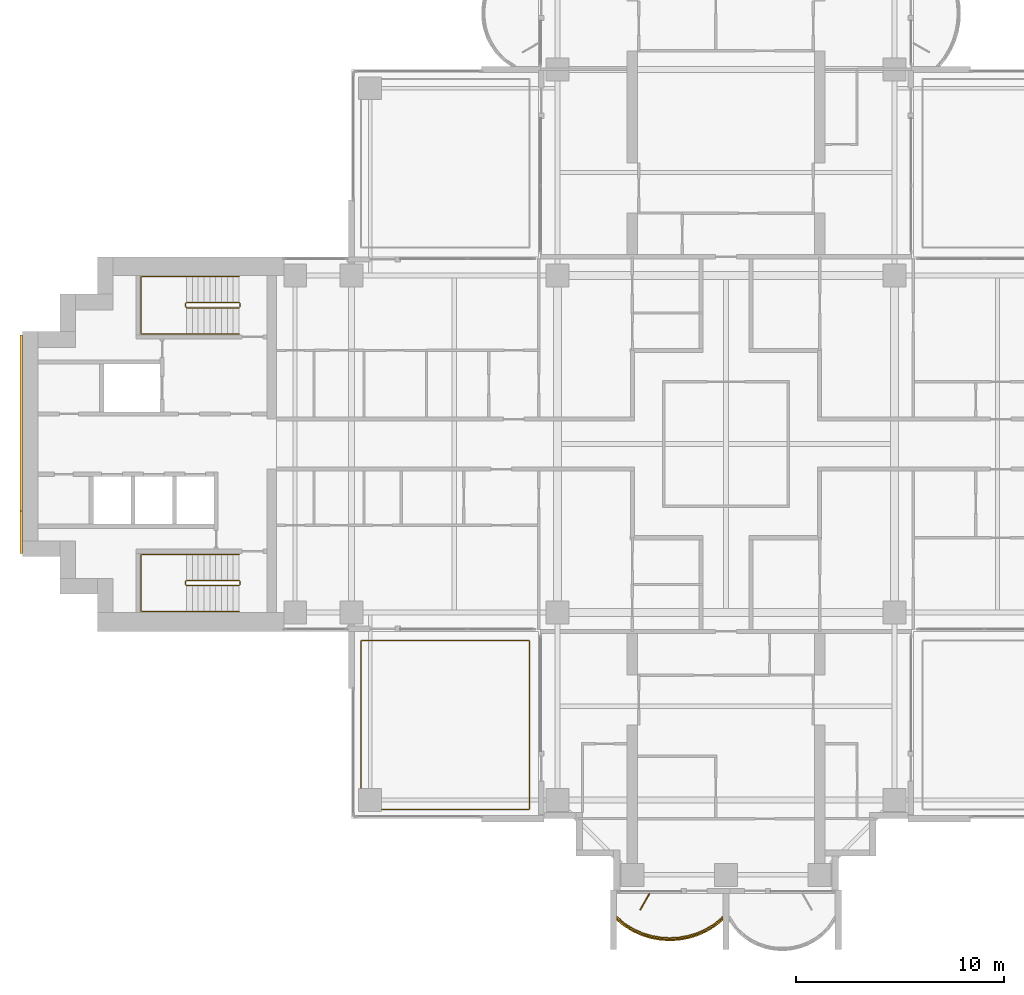
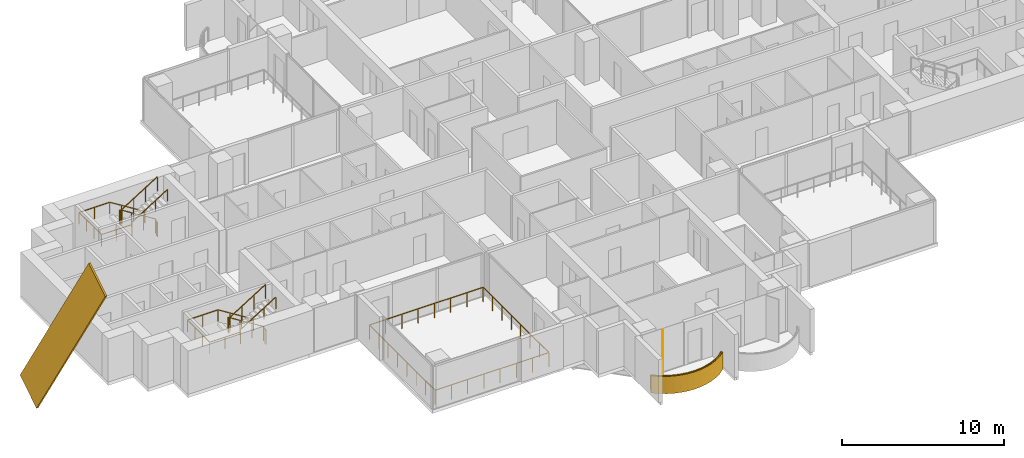
# One storey, part 15 of 18: 6 railings, 2 coverings, 1 shading device.
"""IFC4 building model written with IfcOpenShell, lengths in metres."""

from ifc_helpers import new_model, si_unit, direction, frame, origin, origin_2d, place, context, subcontext, project, spatial, polyline, rectangle, outline, extrude, material, layer, layer_set, material_profile, profile_set, type_object, element, save


model = new_model("IFC4")

# Units and contexts
model_context = context("Model", 3, precision=1e-05, world=origin(), true_north=direction((0.0, 1.0)))
body_context = subcontext(model_context, "Body", "Model", "MODEL_VIEW")
ifc_project = project(units=[si_unit("LENGTHUNIT", "METRE"), si_unit("AREAUNIT", "SQUARE_METRE"), si_unit("VOLUMEUNIT", "CUBIC_METRE"), si_unit("PLANEANGLEUNIT", "RADIAN"), si_unit("MASSUNIT", "GRAM", prefix="KILO")], contexts=[model_context])

# Site, building, storey
site_placement = place(None, origin())
site = spatial("IfcSite", under=ifc_project, at=site_placement, CompositionType="ELEMENT")
building_placement = place(site_placement, origin())
building = spatial("IfcBuilding", under=site, at=building_placement, Name="Perihelion Cross Residences", CompositionType="ELEMENT")
storey_placement = place(building_placement, frame((0.0, 0.0, 133.89990234375)))
storey = spatial("IfcBuildingStorey", under=building, at=storey_placement, Name="L32", CompositionType="ELEMENT", Elevation=133.89990234375)

# Covering
ifc_material_1 = material(Name="Bronze anodised aluminium", Category="aluminium")
ifc_layer_1 = layer(ifc_material_1, 0.070068359375)
ifc_layer_set_1 = layer_set([ifc_layer_1], Name="Balcony fascia 1300")
covering_type_1 = type_object("IfcCoveringType", Name="Balcony fascia 1300", PredefinedType="CLADDING", material=ifc_layer_set_1)
covering_1_placement = place(storey_placement, frame((0.0, 0.0, -0.199951171875)))
element("IfcCovering", 1, at=covering_1_placement, inside=storey, type_object=covering_type_1, Name="Fascia BF1 L32 south tip south bay 1", PredefinedType="CLADDING", context=body_context, shape_type="SweptSolid", body=[
    extrude(outline(polyline([(-4.86474609375, -23.197509765625), (-4.431884765625, -23.455078125), (-3.998779296875, -23.642578125), (-3.56591796875, -23.7705078125), (-3.133056640625, -23.845458984375), (-2.699951171875, -23.8701171875), (-2.26708984375, -23.845458984375), (-1.833984375, -23.7705078125), (-1.401123046875, -23.642578125), (-0.96826171875, -23.455078125), (-0.53515625, -23.197509765625), (-0.14990234375, -22.8896484375), (-0.14990234375, -22.800048828125), (-0.574951171875, -23.14013671875), (-1.0, -23.392578125), (-1.425048828125, -23.57666015625), (-1.85009765625, -23.702392578125), (-2.27490234375, -23.77587890625), (-2.699951171875, -23.800048828125), (-3.125, -23.77587890625), (-3.550048828125, -23.702392578125), (-3.97509765625, -23.57666015625), (-4.39990234375, -23.392578125), (-4.824951171875, -23.14013671875), (-5.25, -22.800048828125), (-5.25, -22.8896484375), (-4.86474609375, -23.197509765625)])), origin(), (0.0, 0.0, 1.0), 1.300048828125),
])

# Railings
ifc_material_2 = material(Name="Bronze anodised aluminium", Category="aluminium")
railing_type_1 = type_object("IfcRailingType", Name="Balcony guard 1100", PredefinedType="GUARDRAIL", material=ifc_material_2)
railing_1_placement = place(storey_placement, frame((-5.22509765625, -22.739990234375, 0.0)))
element("IfcRailing", 2, at=railing_1_placement, inside=storey, type_object=railing_type_1, Name="Guard GU1 L32 south tip south bay 1 balcony", PredefinedType="GUARDRAIL", context=body_context, shape_type="SweptSolid", body=[
    extrude(rectangle(XDim=0.048095703125, YDim=0.048095703125, at=origin_2d()), frame((0.0, 0.0, 1.076171875), z_axis=(0.761973728849, -0.647607934281, 0.0), x_axis=(0.647607934281, 0.761973728849, 0.0)), (0.0, 0.0, 1.0), 0.525146484375),
    extrude(rectangle(XDim=0.048095703125, YDim=0.048095703125, at=origin_2d()), frame((0.400146484375, -0.340087890625, 1.076171875), z_axis=(0.859576918062, -0.511006381501, 0.0), x_axis=(0.511006381501, 0.859576918062, 0.0)), (0.0, 0.0, 1.0), 0.494384765625),
    extrude(rectangle(XDim=0.048095703125, YDim=0.048095703125, at=origin_2d()), frame((0.8251953125, -0.5927734375, 1.076171875), z_axis=(0.917747942671, -0.397163333811, 0.0), x_axis=(0.397163333811, 0.917747942671, 0.0)), (0.0, 0.0, 1.0), 0.462890625),
    extrude(rectangle(XDim=0.048095703125, YDim=0.048095703125, at=origin_2d()), frame((1.25, -0.776611328125, 1.076171875), z_axis=(0.958925815697, -0.283656975924, 0.0), x_axis=(0.283656975924, 0.958925815697, 0.0)), (0.0, 0.0, 1.0), 0.443359375),
    extrude(rectangle(XDim=0.048095703125, YDim=0.048095703125, at=origin_2d()), frame((1.675048828125, -0.90234375, 1.076171875), z_axis=(0.985381583142, -0.17036177859, 0.0), x_axis=(0.17036177859, 0.985381583142, 0.0)), (0.0, 0.0, 1.0), 0.431396484375),
    extrude(rectangle(XDim=0.048095703125, YDim=0.048095703125, at=origin_2d()), frame((2.10009765625, -0.975830078125, 1.076171875), z_axis=(0.998387160354, -0.056772159032, 0.0), x_axis=(0.056772159032, 0.998387160354, 0.0)), (0.0, 0.0, 1.0), 0.42578125),
    extrude(rectangle(XDim=0.048095703125, YDim=0.048095703125, at=origin_2d()), frame((2.525146484375, -1.0, 1.076171875), z_axis=(0.998387160354, 0.056772159032, 0.0), x_axis=(-0.056772159032, 0.998387160354, 0.0)), (0.0, 0.0, 1.0), 0.42578125),
    extrude(rectangle(XDim=0.048095703125, YDim=0.048095703125, at=origin_2d()), frame((2.9501953125, -0.975830078125, 1.076171875), z_axis=(0.985365142702, 0.170456843651, 0.0), x_axis=(-0.170456843651, 0.985365142702, 0.0)), (0.0, 0.0, 1.0), 0.43115234375),
    extrude(rectangle(XDim=0.048095703125, YDim=0.048095703125, at=origin_2d()), frame((3.375, -0.90234375, 1.076171875), z_axis=(0.958925815697, 0.283656975924, 0.0), x_axis=(-0.283656975924, 0.958925815697, 0.0)), (0.0, 0.0, 1.0), 0.443359375),
    extrude(rectangle(XDim=0.048095703125, YDim=0.048095703125, at=origin_2d()), frame((3.800048828125, -0.776611328125, 1.076171875), z_axis=(0.917831080218, 0.396971167952, 0.0), x_axis=(-0.396971167952, 0.917831080218, 0.0)), (0.0, 0.0, 1.0), 0.463134765625),
    extrude(rectangle(XDim=0.048095703125, YDim=0.048095703125, at=origin_2d()), frame((4.22509765625, -0.5927734375, 1.076171875), z_axis=(0.859576918062, 0.511006381501, 0.0), x_axis=(-0.511006381501, 0.859576918062, 0.0)), (0.0, 0.0, 1.0), 0.494384765625),
    extrude(rectangle(XDim=0.048095703125, YDim=0.048095703125, at=origin_2d()), frame((4.650146484375, -0.340087890625, 1.076171875), z_axis=(0.761778647315, 0.647837396648, 0.0), x_axis=(-0.647837396648, 0.761778647315, 0.0)), (0.0, 0.0, 1.0), 0.52490234375),
    extrude(rectangle(XDim=0.0419921875, YDim=0.0419921875, at=origin_2d()), origin(), (0.0, 0.0, 1.0), 1.052001953125),
    extrude(rectangle(XDim=0.0419921875, YDim=0.0419921875, at=origin_2d()), frame((0.400146484375, -0.340087890625, 0.0)), (0.0, 0.0, 1.0), 1.052001953125),
    extrude(rectangle(XDim=0.0419921875, YDim=0.0419921875, at=origin_2d()), frame((0.8251953125, -0.5927734375, 0.0)), (0.0, 0.0, 1.0), 1.052001953125),
    extrude(rectangle(XDim=0.0419921875, YDim=0.0419921875, at=origin_2d()), frame((1.25, -0.776611328125, 0.0)), (0.0, 0.0, 1.0), 1.052001953125),
    extrude(rectangle(XDim=0.0419921875, YDim=0.0419921875, at=origin_2d()), frame((1.675048828125, -0.90234375, 0.0)), (0.0, 0.0, 1.0), 1.052001953125),
    extrude(rectangle(XDim=0.0419921875, YDim=0.0419921875, at=origin_2d()), frame((2.10009765625, -0.975830078125, 0.0)), (0.0, 0.0, 1.0), 1.052001953125),
    extrude(rectangle(XDim=0.0419921875, YDim=0.0419921875, at=origin_2d()), frame((2.525146484375, -1.0, 0.0)), (0.0, 0.0, 1.0), 1.052001953125),
    extrude(rectangle(XDim=0.0419921875, YDim=0.0419921875, at=origin_2d()), frame((2.9501953125, -0.975830078125, 0.0)), (0.0, 0.0, 1.0), 1.052001953125),
    extrude(rectangle(XDim=0.0419921875, YDim=0.0419921875, at=origin_2d()), frame((3.375, -0.90234375, 0.0)), (0.0, 0.0, 1.0), 1.052001953125),
    extrude(rectangle(XDim=0.0419921875, YDim=0.0419921875, at=origin_2d()), frame((3.800048828125, -0.776611328125, 0.0)), (0.0, 0.0, 1.0), 1.052001953125),
    extrude(rectangle(XDim=0.0419921875, YDim=0.0419921875, at=origin_2d()), frame((4.22509765625, -0.5927734375, 0.0)), (0.0, 0.0, 1.0), 1.052001953125),
    extrude(rectangle(XDim=0.0419921875, YDim=0.0419921875, at=origin_2d()), frame((4.650146484375, -0.340087890625, 0.0)), (0.0, 0.0, 1.0), 1.052001953125),
    extrude(rectangle(XDim=0.0419921875, YDim=0.0419921875, at=origin_2d()), frame((5.050048828125, 0.0, 0.0)), (0.0, 0.0, 1.0), 1.052001953125),
])
railing_2_placement = place(storey_placement, frame((-9.449951171875, -17.550048828125, 0.0)))
element("IfcRailing", 3, at=railing_2_placement, inside=storey, type_object=railing_type_1, Name="Guard GU1 L32 pocket south-west 1", PredefinedType="GUARDRAIL", context=body_context, shape_type="SweptSolid", body=[
    extrude(rectangle(XDim=0.048095703125, YDim=0.048095703125, at=origin_2d()), frame((0.0, 0.0, 1.076171875), z_axis=(-1.0, 0.0, 0.0), x_axis=(0.0, -1.0, 0.0)), (0.0, 0.0, 1.0), 8.10009765625),
    extrude(rectangle(XDim=0.048095703125, YDim=0.048095703125, at=origin_2d()), frame((-8.10009765625, 0.0, 1.076171875), z_axis=(0.0, 1.0, 0.0), x_axis=(-1.0, 0.0, 0.0)), (0.0, 0.0, 1.0), 8.10009765625),
    extrude(rectangle(XDim=0.048095703125, YDim=0.048095703125, at=origin_2d()), frame((-8.10009765625, 8.10009765625, 1.076171875), z_axis=(1.0, 0.0, 0.0), x_axis=(0.0, 1.0, 0.0)), (0.0, 0.0, 1.0), 8.10009765625),
    extrude(rectangle(XDim=0.048095703125, YDim=0.048095703125, at=origin_2d()), frame((0.0, 8.10009765625, 1.076171875), z_axis=(0.0, -1.0, 0.0), x_axis=(1.0, 0.0, 0.0)), (0.0, 0.0, 1.0), 8.10009765625),
    extrude(rectangle(XDim=0.0419921875, YDim=0.0419921875, at=origin_2d()), origin(), (0.0, 0.0, 1.0), 1.052001953125),
    extrude(rectangle(XDim=0.0419921875, YDim=0.0419921875, at=origin_2d()), frame((-1.1572265625, 0.0, 0.0)), (0.0, 0.0, 1.0), 1.052001953125),
    extrude(rectangle(XDim=0.0419921875, YDim=0.0419921875, at=origin_2d()), frame((-2.314208984375, 0.0, 0.0)), (0.0, 0.0, 1.0), 1.052001953125),
    extrude(rectangle(XDim=0.0419921875, YDim=0.0419921875, at=origin_2d()), frame((-3.471435546875, 0.0, 0.0)), (0.0, 0.0, 1.0), 1.052001953125),
    extrude(rectangle(XDim=0.0419921875, YDim=0.0419921875, at=origin_2d()), frame((-4.628662109375, 0.0, 0.0)), (0.0, 0.0, 1.0), 1.052001953125),
    extrude(rectangle(XDim=0.0419921875, YDim=0.0419921875, at=origin_2d()), frame((-5.785888671875, 0.0, 0.0)), (0.0, 0.0, 1.0), 1.052001953125),
    extrude(rectangle(XDim=0.0419921875, YDim=0.0419921875, at=origin_2d()), frame((-6.94287109375, 0.0, 0.0)), (0.0, 0.0, 1.0), 1.052001953125),
    extrude(rectangle(XDim=0.0419921875, YDim=0.0419921875, at=origin_2d()), frame((-8.10009765625, 0.0, 0.0)), (0.0, 0.0, 1.0), 1.052001953125),
    extrude(rectangle(XDim=0.0419921875, YDim=0.0419921875, at=origin_2d()), frame((-8.10009765625, 1.1572265625, 0.0)), (0.0, 0.0, 1.0), 1.052001953125),
    extrude(rectangle(XDim=0.0419921875, YDim=0.0419921875, at=origin_2d()), frame((-8.10009765625, 2.314208984375, 0.0)), (0.0, 0.0, 1.0), 1.052001953125),
    extrude(rectangle(XDim=0.0419921875, YDim=0.0419921875, at=origin_2d()), frame((-8.10009765625, 3.471435546875, 0.0)), (0.0, 0.0, 1.0), 1.052001953125),
    extrude(rectangle(XDim=0.0419921875, YDim=0.0419921875, at=origin_2d()), frame((-8.10009765625, 4.628662109375, 0.0)), (0.0, 0.0, 1.0), 1.052001953125),
    extrude(rectangle(XDim=0.0419921875, YDim=0.0419921875, at=origin_2d()), frame((-8.10009765625, 5.785888671875, 0.0)), (0.0, 0.0, 1.0), 1.052001953125),
    extrude(rectangle(XDim=0.0419921875, YDim=0.0419921875, at=origin_2d()), frame((-8.10009765625, 6.94287109375, 0.0)), (0.0, 0.0, 1.0), 1.052001953125),
    extrude(rectangle(XDim=0.0419921875, YDim=0.0419921875, at=origin_2d()), frame((-8.10009765625, 8.10009765625, 0.0)), (0.0, 0.0, 1.0), 1.052001953125),
    extrude(rectangle(XDim=0.0419921875, YDim=0.0419921875, at=origin_2d()), frame((-6.94287109375, 8.10009765625, 0.0)), (0.0, 0.0, 1.0), 1.052001953125),
    extrude(rectangle(XDim=0.0419921875, YDim=0.0419921875, at=origin_2d()), frame((-5.785888671875, 8.10009765625, 0.0)), (0.0, 0.0, 1.0), 1.052001953125),
    extrude(rectangle(XDim=0.0419921875, YDim=0.0419921875, at=origin_2d()), frame((-4.628662109375, 8.10009765625, 0.0)), (0.0, 0.0, 1.0), 1.052001953125),
    extrude(rectangle(XDim=0.0419921875, YDim=0.0419921875, at=origin_2d()), frame((-3.471435546875, 8.10009765625, 0.0)), (0.0, 0.0, 1.0), 1.052001953125),
    extrude(rectangle(XDim=0.0419921875, YDim=0.0419921875, at=origin_2d()), frame((-2.314208984375, 8.10009765625, 0.0)), (0.0, 0.0, 1.0), 1.052001953125),
    extrude(rectangle(XDim=0.0419921875, YDim=0.0419921875, at=origin_2d()), frame((-1.1572265625, 8.10009765625, 0.0)), (0.0, 0.0, 1.0), 1.052001953125),
    extrude(rectangle(XDim=0.0419921875, YDim=0.0419921875, at=origin_2d()), frame((0.0, 8.10009765625, 0.0)), (0.0, 0.0, 1.0), 1.052001953125),
    extrude(rectangle(XDim=0.0419921875, YDim=0.0419921875, at=origin_2d()), frame((0.0, 6.94287109375, 0.0)), (0.0, 0.0, 1.0), 1.052001953125),
    extrude(rectangle(XDim=0.0419921875, YDim=0.0419921875, at=origin_2d()), frame((0.0, 5.785888671875, 0.0)), (0.0, 0.0, 1.0), 1.052001953125),
    extrude(rectangle(XDim=0.0419921875, YDim=0.0419921875, at=origin_2d()), frame((0.0, 4.628662109375, 0.0)), (0.0, 0.0, 1.0), 1.052001953125),
    extrude(rectangle(XDim=0.0419921875, YDim=0.0419921875, at=origin_2d()), frame((0.0, 3.471435546875, 0.0)), (0.0, 0.0, 1.0), 1.052001953125),
    extrude(rectangle(XDim=0.0419921875, YDim=0.0419921875, at=origin_2d()), frame((0.0, 2.314208984375, 0.0)), (0.0, 0.0, 1.0), 1.052001953125),
    extrude(rectangle(XDim=0.0419921875, YDim=0.0419921875, at=origin_2d()), frame((0.0, 1.1572265625, 0.0)), (0.0, 0.0, 1.0), 1.052001953125),
])

# Covering
ifc_material_3 = material(Name="Bronze anodised aluminium", Category="aluminium")
ifc_material_profile = material_profile(ifc_material_3, rectangle(XDim=0.125, YDim=2.39990234375, at=origin_2d()), Name="Bronze cladding band 2400")
ifc_profile_set = profile_set([ifc_material_profile], Name="Bronze anodised aluminium")
covering_type_2 = type_object("IfcCoveringType", Name="Bronze cladding band 2400", PredefinedType="CLADDING", material=ifc_profile_set)
covering_2_placement = place(storey_placement, frame((-33.862548828125, 4.232421875, -6.509765625), z_axis=(0.0, -0.529924750763, 0.848044667767), x_axis=(1.0, 0.0, 0.0)))
element("IfcCovering", 4, at=covering_2_placement, inside=storey, type_object=covering_type_2, Name="Core cladding band, west core", PredefinedType="CLADDING", context=body_context, shape_type="SweptSolid", body=[
    extrude(rectangle(XDim=0.125, YDim=2.39990234375, at=origin_2d()), origin(), (0.0, 0.0, 1.0), 15.9736328125),
])

# Shading device
ifc_material_4 = material(Name="Bronze anodised aluminium", Category="aluminium")
ifc_layer_2 = layer(ifc_material_4, 0.050048828125)
ifc_layer_set_2 = layer_set([ifc_layer_2], Name="Bronze fin 900")
shading_device_type = type_object("IfcShadingDeviceType", Name="Bronze fin 900", PredefinedType="USERDEFINED", material=ifc_layer_set_2)
shading_device_placement = place(storey_placement, frame((-3.89990234375, -21.98974609375, 0.0), z_axis=(0.0, 0.0, 1.0), x_axis=(-0.5, -0.866025403784, 0.0)))
element("IfcShadingDevice", 5, at=shading_device_placement, inside=storey, type_object=shading_device_type, Name="Fin FN1 L32 south tip south bay 1", ObjectType="FIN", PredefinedType="USERDEFINED", context=body_context, shape_type="SweptSolid", body=[
    extrude(rectangle(XDim=0.89990234375, YDim=0.050048828125, at=origin_2d()), origin(), (0.0, 0.0, 1.0), 3.25),
])

# Railings
ifc_material_5 = material(Name="Stainless steel", Category="steel")
railing_type_2 = type_object("IfcRailingType", Name="Stair guard 1100", PredefinedType="GUARDRAIL", material=ifc_material_5)
railing_3_placement = place(storey_placement, frame((-23.35009765625, 6.60009765625, 0.0)))
element("IfcRailing", 6, at=railing_3_placement, inside=storey, type_object=railing_type_2, Name="L32 ST-W1 stair guard 1", PredefinedType="GUARDRAIL", context=body_context, shape_type="SweptSolid", body=[
    extrude(rectangle(XDim=0.048095703125, YDim=0.048095703125, at=origin_2d()), frame((0.0, 0.0, 1.076171875), z_axis=(0.0, 1.0, 0.0), x_axis=(-1.0, 0.0, 0.0)), (0.0, 0.0, 1.0), 0.14990234375),
    extrude(rectangle(XDim=0.048095703125, YDim=0.048095703125, at=origin_2d()), frame((0.0, 0.14990234375, 1.076171875), z_axis=(-0.263862480399, 0.265155923931, 0.927399011991), x_axis=(-0.708833529934, -0.705375805398, 0.0)), (0.0, 0.0, 1.0), 0.188720703125),
    extrude(rectangle(XDim=0.048095703125, YDim=0.048095703125, at=origin_2d()), frame((-0.0498046875, 0.199951171875, 1.2509765625), z_axis=(-0.848007534815, 0.0, 0.529984170421), x_axis=(0.0, -1.0, 0.0)), (0.0, 0.0, 1.0), 2.9716796875),
    extrude(rectangle(XDim=0.048095703125, YDim=0.048095703125, at=origin_2d()), frame((-2.56982421875, 0.199951171875, 2.826171875), z_axis=(-0.707106781187, -0.707106781187, 0.0), x_axis=(0.707106781187, -0.707106781187, 0.0)), (0.0, 0.0, 1.0), 0.07080078125),
    extrude(rectangle(XDim=0.048095703125, YDim=0.048095703125, at=origin_2d()), frame((-2.619873046875, 0.14990234375, 2.826171875), z_axis=(0.0, -1.0, 0.0), x_axis=(1.0, 0.0, 0.0)), (0.0, 0.0, 1.0), 0.14990234375),
    extrude(rectangle(XDim=0.048095703125, YDim=0.048095703125, at=origin_2d()), frame((-2.619873046875, 0.0, 2.826171875), z_axis=(0.265065253269, -0.265065253269, 0.927081885822), x_axis=(0.707106781187, 0.707106781187, 0.0)), (0.0, 0.0, 1.0), 0.188720703125),
    extrude(rectangle(XDim=0.048095703125, YDim=0.048095703125, at=origin_2d()), frame((-2.56982421875, -0.050048828125, 3.0009765625), z_axis=(0.848007534815, 0.0, 0.529984170421), x_axis=(0.0, 1.0, 0.0)), (0.0, 0.0, 1.0), 2.9716796875),
    extrude(rectangle(XDim=0.0419921875, YDim=0.0419921875, at=origin_2d()), origin(), (0.0, 0.0, 1.0), 1.052001953125),
    extrude(rectangle(XDim=0.0419921875, YDim=0.0419921875, at=origin_2d()), frame((0.0, 0.14990234375, 0.0)), (0.0, 0.0, 1.0), 1.052001953125),
    extrude(rectangle(XDim=0.0419921875, YDim=0.0419921875, at=origin_2d()), frame((-0.0498046875, 0.199951171875, 0.175048828125)), (0.0, 0.0, 1.0), 1.052001953125),
    extrude(rectangle(XDim=0.0419921875, YDim=0.0419921875, at=origin_2d()), frame((-0.889892578125, 0.199951171875, 0.699951171875)), (0.0, 0.0, 1.0), 1.052001953125),
    extrude(rectangle(XDim=0.0419921875, YDim=0.0419921875, at=origin_2d()), frame((-1.729736328125, 0.199951171875, 1.22509765625)), (0.0, 0.0, 1.0), 1.052001953125),
    extrude(rectangle(XDim=0.0419921875, YDim=0.0419921875, at=origin_2d()), frame((-2.56982421875, 0.199951171875, 1.75)), (0.0, 0.0, 1.0), 1.052001953125),
    extrude(rectangle(XDim=0.0419921875, YDim=0.0419921875, at=origin_2d()), frame((-2.619873046875, 0.14990234375, 1.75)), (0.0, 0.0, 1.0), 1.052001953125),
    extrude(rectangle(XDim=0.0419921875, YDim=0.0419921875, at=origin_2d()), frame((-2.619873046875, 0.0, 1.75)), (0.0, 0.0, 1.0), 1.052001953125),
    extrude(rectangle(XDim=0.0419921875, YDim=0.0419921875, at=origin_2d()), frame((-2.56982421875, -0.050048828125, 1.925048828125)), (0.0, 0.0, 1.0), 1.052001953125),
    extrude(rectangle(XDim=0.0419921875, YDim=0.0419921875, at=origin_2d()), frame((-1.729736328125, -0.050048828125, 2.449951171875)), (0.0, 0.0, 1.0), 1.052001953125),
    extrude(rectangle(XDim=0.0419921875, YDim=0.0419921875, at=origin_2d()), frame((-0.889892578125, -0.050048828125, 2.97509765625)), (0.0, 0.0, 1.0), 1.052001953125),
    extrude(rectangle(XDim=0.0419921875, YDim=0.0419921875, at=origin_2d()), frame((-0.0498046875, -0.050048828125, 3.5)), (0.0, 0.0, 1.0), 1.052001953125),
])
railing_4_placement = place(storey_placement, frame((-23.35009765625, -6.75, 0.0)))
element("IfcRailing", 7, at=railing_4_placement, inside=storey, type_object=railing_type_2, Name="L32 ST-W2 stair guard 1", PredefinedType="GUARDRAIL", context=body_context, shape_type="SweptSolid", body=[
    extrude(rectangle(XDim=0.048095703125, YDim=0.048095703125, at=origin_2d()), frame((0.0, 0.0, 1.076171875), z_axis=(0.0, 1.0, 0.0), x_axis=(-1.0, 0.0, 0.0)), (0.0, 0.0, 1.0), 0.14990234375),
    extrude(rectangle(XDim=0.048095703125, YDim=0.048095703125, at=origin_2d()), frame((0.0, 0.14990234375, 1.076171875), z_axis=(-0.263862480399, 0.265155923931, 0.927399011991), x_axis=(-0.708833529934, -0.705375805398, 0.0)), (0.0, 0.0, 1.0), 0.188720703125),
    extrude(rectangle(XDim=0.048095703125, YDim=0.048095703125, at=origin_2d()), frame((-0.0498046875, 0.199951171875, 1.2509765625), z_axis=(-0.848007534815, 0.0, 0.529984170421), x_axis=(0.0, -1.0, 0.0)), (0.0, 0.0, 1.0), 2.9716796875),
    extrude(rectangle(XDim=0.048095703125, YDim=0.048095703125, at=origin_2d()), frame((-2.56982421875, 0.199951171875, 2.826171875), z_axis=(-0.707106781187, -0.707106781187, 0.0), x_axis=(0.707106781187, -0.707106781187, 0.0)), (0.0, 0.0, 1.0), 0.07080078125),
    extrude(rectangle(XDim=0.048095703125, YDim=0.048095703125, at=origin_2d()), frame((-2.619873046875, 0.14990234375, 2.826171875), z_axis=(0.0, -1.0, 0.0), x_axis=(1.0, 0.0, 0.0)), (0.0, 0.0, 1.0), 0.14990234375),
    extrude(rectangle(XDim=0.048095703125, YDim=0.048095703125, at=origin_2d()), frame((-2.619873046875, 0.0, 2.826171875), z_axis=(0.265065253269, -0.265065253269, 0.927081885822), x_axis=(0.707106781187, 0.707106781187, 0.0)), (0.0, 0.0, 1.0), 0.188720703125),
    extrude(rectangle(XDim=0.048095703125, YDim=0.048095703125, at=origin_2d()), frame((-2.56982421875, -0.050048828125, 3.0009765625), z_axis=(0.848007534815, 0.0, 0.529984170421), x_axis=(0.0, 1.0, 0.0)), (0.0, 0.0, 1.0), 2.9716796875),
    extrude(rectangle(XDim=0.0419921875, YDim=0.0419921875, at=origin_2d()), origin(), (0.0, 0.0, 1.0), 1.052001953125),
    extrude(rectangle(XDim=0.0419921875, YDim=0.0419921875, at=origin_2d()), frame((0.0, 0.14990234375, 0.0)), (0.0, 0.0, 1.0), 1.052001953125),
    extrude(rectangle(XDim=0.0419921875, YDim=0.0419921875, at=origin_2d()), frame((-0.0498046875, 0.199951171875, 0.175048828125)), (0.0, 0.0, 1.0), 1.052001953125),
    extrude(rectangle(XDim=0.0419921875, YDim=0.0419921875, at=origin_2d()), frame((-0.889892578125, 0.199951171875, 0.699951171875)), (0.0, 0.0, 1.0), 1.052001953125),
    extrude(rectangle(XDim=0.0419921875, YDim=0.0419921875, at=origin_2d()), frame((-1.729736328125, 0.199951171875, 1.22509765625)), (0.0, 0.0, 1.0), 1.052001953125),
    extrude(rectangle(XDim=0.0419921875, YDim=0.0419921875, at=origin_2d()), frame((-2.56982421875, 0.199951171875, 1.75)), (0.0, 0.0, 1.0), 1.052001953125),
    extrude(rectangle(XDim=0.0419921875, YDim=0.0419921875, at=origin_2d()), frame((-2.619873046875, 0.14990234375, 1.75)), (0.0, 0.0, 1.0), 1.052001953125),
    extrude(rectangle(XDim=0.0419921875, YDim=0.0419921875, at=origin_2d()), frame((-2.619873046875, 0.0, 1.75)), (0.0, 0.0, 1.0), 1.052001953125),
    extrude(rectangle(XDim=0.0419921875, YDim=0.0419921875, at=origin_2d()), frame((-2.56982421875, -0.050048828125, 1.925048828125)), (0.0, 0.0, 1.0), 1.052001953125),
    extrude(rectangle(XDim=0.0419921875, YDim=0.0419921875, at=origin_2d()), frame((-1.729736328125, -0.050048828125, 2.449951171875)), (0.0, 0.0, 1.0), 1.052001953125),
    extrude(rectangle(XDim=0.0419921875, YDim=0.0419921875, at=origin_2d()), frame((-0.889892578125, -0.050048828125, 2.97509765625)), (0.0, 0.0, 1.0), 1.052001953125),
    extrude(rectangle(XDim=0.0419921875, YDim=0.0419921875, at=origin_2d()), frame((-0.0498046875, -0.050048828125, 3.5)), (0.0, 0.0, 1.0), 1.052001953125),
])
ifc_material_6 = material(Name="Stainless steel", Category="steel")
railing_type_3 = type_object("IfcRailingType", Name="Stair handrail 900", PredefinedType="HANDRAIL", material=ifc_material_6)
railing_5_placement = place(storey_placement, frame((-23.39990234375, 8.050048828125, 0.175048828125)))
element("IfcRailing", 8, at=railing_5_placement, inside=storey, type_object=railing_type_3, Name="L32 ST-W1 stair handrail 1", PredefinedType="HANDRAIL", context=body_context, shape_type="SweptSolid", body=[
    extrude(rectangle(XDim=0.048095703125, YDim=0.048095703125, at=origin_2d()), frame((0.0, 0.0, 0.8759765625), z_axis=(-0.848007534815, 0.0, 0.529984170421), x_axis=(0.0, -1.0, 0.0)), (0.0, 0.0, 1.0), 2.9716796875),
    extrude(rectangle(XDim=0.048095703125, YDim=0.048095703125, at=origin_2d()), frame((-2.52001953125, 0.0, 2.45068359375), z_axis=(-1.0, 0.0, 0.0), x_axis=(0.0, -1.0, 0.0)), (0.0, 0.0, 1.0), 2.18017578125),
    extrude(rectangle(XDim=0.048095703125, YDim=0.048095703125, at=origin_2d()), frame((-4.7001953125, 0.0, 2.45068359375), z_axis=(0.0, -1.0, 0.0), x_axis=(1.0, 0.0, 0.0)), (0.0, 0.0, 1.0), 2.75),
    extrude(rectangle(XDim=0.048095703125, YDim=0.048095703125, at=origin_2d()), frame((-4.7001953125, -2.75, 2.45068359375), z_axis=(1.0, 0.0, 0.0), x_axis=(0.0, 1.0, 0.0)), (0.0, 0.0, 1.0), 2.18017578125),
    extrude(rectangle(XDim=0.048095703125, YDim=0.048095703125, at=origin_2d()), frame((-2.52001953125, -2.75, 2.45068359375), z_axis=(0.0, 0.0, 1.0), x_axis=(1.0, 0.0, 0.0)), (0.0, 0.0, 1.0), 0.175048828125),
    extrude(rectangle(XDim=0.048095703125, YDim=0.048095703125, at=origin_2d()), frame((-2.52001953125, -2.75, 2.6259765625), z_axis=(0.848007534815, 0.0, 0.529984170421), x_axis=(0.0, 1.0, 0.0)), (0.0, 0.0, 1.0), 2.9716796875),
    extrude(rectangle(XDim=0.0419921875, YDim=0.0419921875, at=origin_2d()), origin(), (0.0, 0.0, 1.0), 0.851806640625),
    extrude(rectangle(XDim=0.0419921875, YDim=0.0419921875, at=origin_2d()), frame((-0.840087890625, 0.0, 0.52490234375)), (0.0, 0.0, 1.0), 0.851806640625),
    extrude(rectangle(XDim=0.0419921875, YDim=0.0419921875, at=origin_2d()), frame((-1.679931640625, 0.0, 1.050048828125)), (0.0, 0.0, 1.0), 0.851806640625),
    extrude(rectangle(XDim=0.0419921875, YDim=0.0419921875, at=origin_2d()), frame((-2.52001953125, 0.0, 1.574951171875)), (0.0, 0.0, 1.0), 0.851806640625),
    extrude(rectangle(XDim=0.0419921875, YDim=0.0419921875, at=origin_2d()), frame((-3.610107421875, 0.0, 1.574951171875)), (0.0, 0.0, 1.0), 0.851806640625),
    extrude(rectangle(XDim=0.0419921875, YDim=0.0419921875, at=origin_2d()), frame((-4.7001953125, 0.0, 1.574951171875)), (0.0, 0.0, 1.0), 0.851806640625),
    extrude(rectangle(XDim=0.0419921875, YDim=0.0419921875, at=origin_2d()), frame((-4.7001953125, -0.916748046875, 1.574951171875)), (0.0, 0.0, 1.0), 0.851806640625),
    extrude(rectangle(XDim=0.0419921875, YDim=0.0419921875, at=origin_2d()), frame((-4.7001953125, -1.833251953125, 1.574951171875)), (0.0, 0.0, 1.0), 0.851806640625),
    extrude(rectangle(XDim=0.0419921875, YDim=0.0419921875, at=origin_2d()), frame((-4.7001953125, -2.75, 1.574951171875)), (0.0, 0.0, 1.0), 0.851806640625),
    extrude(rectangle(XDim=0.0419921875, YDim=0.0419921875, at=origin_2d()), frame((-3.610107421875, -2.75, 1.574951171875)), (0.0, 0.0, 1.0), 0.851806640625),
    extrude(rectangle(XDim=0.0419921875, YDim=0.0419921875, at=origin_2d()), frame((-2.52001953125, -2.75, 1.574951171875)), (0.0, 0.0, 1.0), 0.851806640625),
    extrude(rectangle(XDim=0.0419921875, YDim=0.0419921875, at=origin_2d()), frame((-2.52001953125, -2.75, 1.75)), (0.0, 0.0, 1.0), 0.851806640625),
    extrude(rectangle(XDim=0.0419921875, YDim=0.0419921875, at=origin_2d()), frame((-1.679931640625, -2.75, 2.27490234375)), (0.0, 0.0, 1.0), 0.851806640625),
    extrude(rectangle(XDim=0.0419921875, YDim=0.0419921875, at=origin_2d()), frame((-0.840087890625, -2.75, 2.800048828125)), (0.0, 0.0, 1.0), 0.851806640625),
    extrude(rectangle(XDim=0.0419921875, YDim=0.0419921875, at=origin_2d()), frame((0.0, -2.75, 3.324951171875)), (0.0, 0.0, 1.0), 0.851806640625),
])
railing_6_placement = place(storey_placement, frame((-23.39990234375, -5.300048828125, 0.175048828125)))
element("IfcRailing", 9, at=railing_6_placement, inside=storey, type_object=railing_type_3, Name="L32 ST-W2 stair handrail 1", PredefinedType="HANDRAIL", context=body_context, shape_type="SweptSolid", body=[
    extrude(rectangle(XDim=0.048095703125, YDim=0.048095703125, at=origin_2d()), frame((0.0, 0.0, 0.8759765625), z_axis=(-0.848007534815, 0.0, 0.529984170421), x_axis=(0.0, -1.0, 0.0)), (0.0, 0.0, 1.0), 2.9716796875),
    extrude(rectangle(XDim=0.048095703125, YDim=0.048095703125, at=origin_2d()), frame((-2.52001953125, 0.0, 2.45068359375), z_axis=(-1.0, 0.0, 0.0), x_axis=(0.0, -1.0, 0.0)), (0.0, 0.0, 1.0), 2.18017578125),
    extrude(rectangle(XDim=0.048095703125, YDim=0.048095703125, at=origin_2d()), frame((-4.7001953125, 0.0, 2.45068359375), z_axis=(0.0, -1.0, 0.0), x_axis=(1.0, 0.0, 0.0)), (0.0, 0.0, 1.0), 2.75),
    extrude(rectangle(XDim=0.048095703125, YDim=0.048095703125, at=origin_2d()), frame((-4.7001953125, -2.75, 2.45068359375), z_axis=(1.0, 0.0, 0.0), x_axis=(0.0, 1.0, 0.0)), (0.0, 0.0, 1.0), 2.18017578125),
    extrude(rectangle(XDim=0.048095703125, YDim=0.048095703125, at=origin_2d()), frame((-2.52001953125, -2.75, 2.45068359375), z_axis=(0.0, 0.0, 1.0), x_axis=(1.0, 0.0, 0.0)), (0.0, 0.0, 1.0), 0.175048828125),
    extrude(rectangle(XDim=0.048095703125, YDim=0.048095703125, at=origin_2d()), frame((-2.52001953125, -2.75, 2.6259765625), z_axis=(0.848007534815, 0.0, 0.529984170421), x_axis=(0.0, 1.0, 0.0)), (0.0, 0.0, 1.0), 2.9716796875),
    extrude(rectangle(XDim=0.0419921875, YDim=0.0419921875, at=origin_2d()), origin(), (0.0, 0.0, 1.0), 0.851806640625),
    extrude(rectangle(XDim=0.0419921875, YDim=0.0419921875, at=origin_2d()), frame((-0.840087890625, 0.0, 0.52490234375)), (0.0, 0.0, 1.0), 0.851806640625),
    extrude(rectangle(XDim=0.0419921875, YDim=0.0419921875, at=origin_2d()), frame((-1.679931640625, 0.0, 1.050048828125)), (0.0, 0.0, 1.0), 0.851806640625),
    extrude(rectangle(XDim=0.0419921875, YDim=0.0419921875, at=origin_2d()), frame((-2.52001953125, 0.0, 1.574951171875)), (0.0, 0.0, 1.0), 0.851806640625),
    extrude(rectangle(XDim=0.0419921875, YDim=0.0419921875, at=origin_2d()), frame((-3.610107421875, 0.0, 1.574951171875)), (0.0, 0.0, 1.0), 0.851806640625),
    extrude(rectangle(XDim=0.0419921875, YDim=0.0419921875, at=origin_2d()), frame((-4.7001953125, 0.0, 1.574951171875)), (0.0, 0.0, 1.0), 0.851806640625),
    extrude(rectangle(XDim=0.0419921875, YDim=0.0419921875, at=origin_2d()), frame((-4.7001953125, -0.916748046875, 1.574951171875)), (0.0, 0.0, 1.0), 0.851806640625),
    extrude(rectangle(XDim=0.0419921875, YDim=0.0419921875, at=origin_2d()), frame((-4.7001953125, -1.833251953125, 1.574951171875)), (0.0, 0.0, 1.0), 0.851806640625),
    extrude(rectangle(XDim=0.0419921875, YDim=0.0419921875, at=origin_2d()), frame((-4.7001953125, -2.75, 1.574951171875)), (0.0, 0.0, 1.0), 0.851806640625),
    extrude(rectangle(XDim=0.0419921875, YDim=0.0419921875, at=origin_2d()), frame((-3.610107421875, -2.75, 1.574951171875)), (0.0, 0.0, 1.0), 0.851806640625),
    extrude(rectangle(XDim=0.0419921875, YDim=0.0419921875, at=origin_2d()), frame((-2.52001953125, -2.75, 1.574951171875)), (0.0, 0.0, 1.0), 0.851806640625),
    extrude(rectangle(XDim=0.0419921875, YDim=0.0419921875, at=origin_2d()), frame((-2.52001953125, -2.75, 1.75)), (0.0, 0.0, 1.0), 0.851806640625),
    extrude(rectangle(XDim=0.0419921875, YDim=0.0419921875, at=origin_2d()), frame((-1.679931640625, -2.75, 2.27490234375)), (0.0, 0.0, 1.0), 0.851806640625),
    extrude(rectangle(XDim=0.0419921875, YDim=0.0419921875, at=origin_2d()), frame((-0.840087890625, -2.75, 2.800048828125)), (0.0, 0.0, 1.0), 0.851806640625),
    extrude(rectangle(XDim=0.0419921875, YDim=0.0419921875, at=origin_2d()), frame((0.0, -2.75, 3.324951171875)), (0.0, 0.0, 1.0), 0.851806640625),
])

save(model, "model.ifc")
